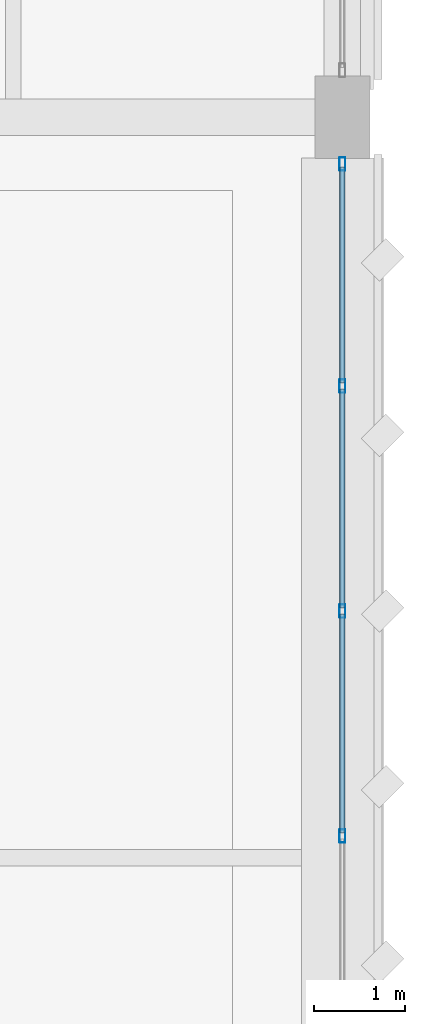
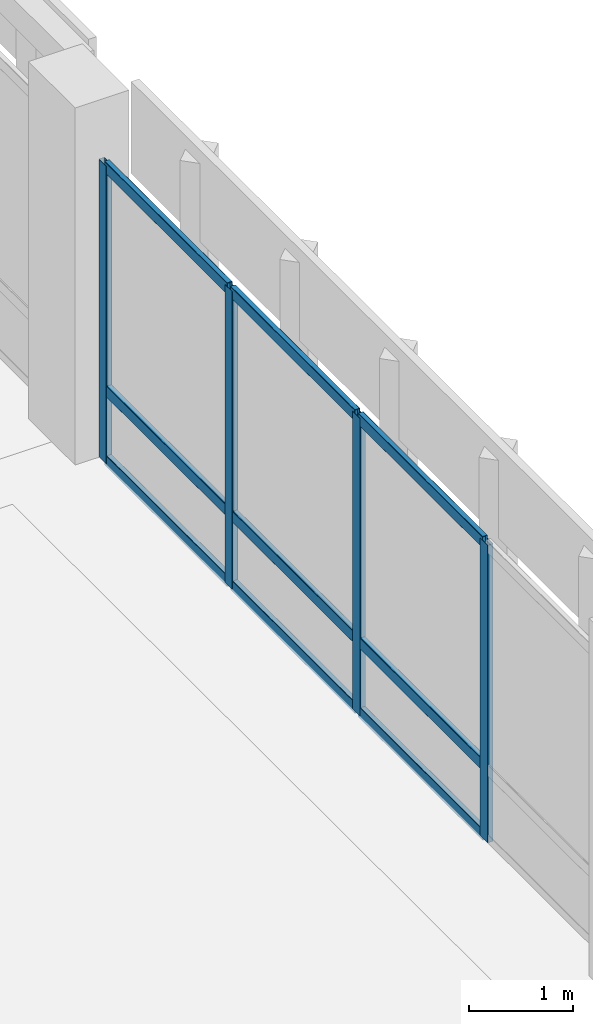
# One storey, part 93 of 158: 13 members, 1 element without a shape of its own.
"""IFC4 building model written with IfcOpenShell, lengths in metres."""

from ifc_helpers import new_model, si_unit, direction, frame, origin, origin_2d, place, context, subcontext, project, spatial, hollow_rectangle, extrude, material, material_profile, profile_set, type_object, element, aggregate, save


model = new_model("IFC4")

# Units and contexts
model_context = context("Model", 3, precision=1e-05, world=origin(), true_north=direction((0.0, 1.0)))
body_context = subcontext(model_context, "Body", "Model", "MODEL_VIEW")
ifc_project = project(units=[si_unit("LENGTHUNIT", "METRE"), si_unit("AREAUNIT", "SQUARE_METRE"), si_unit("VOLUMEUNIT", "CUBIC_METRE"), si_unit("PLANEANGLEUNIT", "RADIAN"), si_unit("MASSUNIT", "GRAM", prefix="KILO")], contexts=[model_context])

# Site, building, storey
site_placement = place(None, origin())
site = spatial("IfcSite", under=ifc_project, at=site_placement, CompositionType="ELEMENT")
building_placement = place(site_placement, origin())
building = spatial("IfcBuilding", under=site, at=building_placement, Name="Lusvemor Sports Hall", CompositionType="ELEMENT")
storey_placement = place(building_placement, frame((0.0, 0.0, 10.800048828125)))
storey = spatial("IfcBuildingStorey", under=building, at=storey_placement, Name="L02", CompositionType="ELEMENT", Elevation=10.800048828125)

# Curtain wall, members
ifc_material_1 = material(Name="Thermally broken bronze-anodized aluminium", Category="aluminium")
curtain_wall_type = type_object("IfcCurtainWallType", Name="CW_COURT_C", PredefinedType="NOTDEFINED", material=ifc_material_1)
curtain_wall_placement = place(storey_placement, origin())
curtain_wall = element("IfcCurtainWall", 1, at=curtain_wall_placement, inside=storey, type_object=curtain_wall_type, Name="Curtain Wall CW-V2E-L02-3", PredefinedType="NOTDEFINED")
ifc_material_2 = material(Name="Thermally broken bronze-anodized aluminium", Category="aluminium")
ifc_material_profile_1 = material_profile(ifc_material_2, hollow_rectangle(XDim=0.06494140625, YDim=0.14990234375, WallThickness=0.00390625, InnerFilletRadius=0.00390625, OuterFilletRadius=0.008056640625, at=origin_2d()), Name="CWMUL150x65x4")
ifc_profile_set_1 = profile_set([ifc_material_profile_1], Name="Thermally broken bronze-anodized aluminium")
member_type_1 = type_object("IfcMemberType", Name="CW_MUL_B", PredefinedType="MULLION", material=ifc_profile_set_1)
member_1_placement = place(storey_placement, frame((169.199951171875, 39.08740234375, 0.0), z_axis=(0.0, 0.0, 1.0), x_axis=(1.0, 0.0, 0.0)))
member_1 = element("IfcMember", 2, at=member_1_placement, type_object=member_type_1, Name="CW03 mullion 1", PredefinedType="MULLION", context=body_context, shape_type="SweptSolid", body=[
    extrude(hollow_rectangle(XDim=0.06494140625, YDim=0.14990234375, WallThickness=0.00390625, InnerFilletRadius=0.00390625, OuterFilletRadius=0.008056640625, at=origin_2d()), origin(), (0.0, 0.0, 1.0), 3.5),
])
member_2_placement = place(storey_placement, frame((169.199951171875, 36.659912109375, 0.0), z_axis=(0.0, 0.0, 1.0), x_axis=(1.0, 0.0, 0.0)))
member_2 = element("IfcMember", 3, at=member_2_placement, type_object=member_type_1, Name="CW03 mullion 2", PredefinedType="MULLION", context=body_context, shape_type="SweptSolid", body=[
    extrude(hollow_rectangle(XDim=0.06494140625, YDim=0.14990234375, WallThickness=0.00390625, InnerFilletRadius=0.00390625, OuterFilletRadius=0.008056640625, at=origin_2d()), origin(), (0.0, 0.0, 1.0), 3.5),
])
member_3_placement = place(storey_placement, frame((169.199951171875, 34.199951171875, 0.0), z_axis=(0.0, 0.0, 1.0), x_axis=(1.0, 0.0, 0.0)))
member_3 = element("IfcMember", 4, at=member_3_placement, type_object=member_type_1, Name="CW03 mullion 3", PredefinedType="MULLION", context=body_context, shape_type="SweptSolid", body=[
    extrude(hollow_rectangle(XDim=0.06494140625, YDim=0.14990234375, WallThickness=0.00390625, InnerFilletRadius=0.00390625, OuterFilletRadius=0.008056640625, at=origin_2d()), origin(), (0.0, 0.0, 1.0), 3.5),
])
member_4_placement = place(storey_placement, frame((169.199951171875, 31.739990234375, 0.0), z_axis=(0.0, 0.0, 1.0), x_axis=(1.0, 0.0, 0.0)))
member_4 = element("IfcMember", 5, at=member_4_placement, type_object=member_type_1, Name="CW03 mullion 4", PredefinedType="MULLION", context=body_context, shape_type="SweptSolid", body=[
    extrude(hollow_rectangle(XDim=0.06494140625, YDim=0.14990234375, WallThickness=0.00390625, InnerFilletRadius=0.00390625, OuterFilletRadius=0.008056640625, at=origin_2d()), origin(), (0.0, 0.0, 1.0), 3.5),
])
ifc_material_3 = material(Name="Thermally broken bronze-anodized aluminium", Category="aluminium")
ifc_material_profile_2 = material_profile(ifc_material_3, hollow_rectangle(XDim=0.06005859375, YDim=0.135009765625, WallThickness=0.00390625, InnerFilletRadius=0.00390625, OuterFilletRadius=0.008056640625, at=origin_2d()), Name="CWTRN135x60x4")
ifc_profile_set_2 = profile_set([ifc_material_profile_2], Name="Thermally broken bronze-anodized aluminium")
member_type_2 = type_object("IfcMemberType", Name="CW_TRN_B", PredefinedType="USERDEFINED", material=ifc_profile_set_2)
member_5_placement = place(storey_placement, frame((169.199951171875, 39.054931640625, 0.030029296875), z_axis=(0.0, -1.0, 0.0), x_axis=(1.0, 0.0, 0.0)))
member_5 = element("IfcMember", 6, at=member_5_placement, type_object=member_type_2, Name="CW03 transom 1.1", ObjectType="TRANSOM", PredefinedType="USERDEFINED", context=body_context, shape_type="SweptSolid", body=[
    extrude(hollow_rectangle(XDim=0.06005859375, YDim=0.135009765625, WallThickness=0.00390625, InnerFilletRadius=0.00390625, OuterFilletRadius=0.008056640625, at=origin_2d()), origin(), (0.0, 0.0, 1.0), 2.362548828125),
])
member_6_placement = place(storey_placement, frame((169.199951171875, 39.054931640625, 0.849853515625), z_axis=(0.0, -1.0, 0.0), x_axis=(1.0, 0.0, 0.0)))
member_6 = element("IfcMember", 7, at=member_6_placement, type_object=member_type_2, Name="CW03 transom 1.2", ObjectType="TRANSOM", PredefinedType="USERDEFINED", context=body_context, shape_type="SweptSolid", body=[
    extrude(hollow_rectangle(XDim=0.06005859375, YDim=0.135009765625, WallThickness=0.00390625, InnerFilletRadius=0.00390625, OuterFilletRadius=0.008056640625, at=origin_2d()), origin(), (0.0, 0.0, 1.0), 2.362548828125),
])
member_7_placement = place(storey_placement, frame((169.199951171875, 39.054931640625, 3.469970703125), z_axis=(0.0, -1.0, 0.0), x_axis=(1.0, 0.0, 0.0)))
member_7 = element("IfcMember", 8, at=member_7_placement, type_object=member_type_2, Name="CW03 transom 1.3", ObjectType="TRANSOM", PredefinedType="USERDEFINED", context=body_context, shape_type="SweptSolid", body=[
    extrude(hollow_rectangle(XDim=0.06005859375, YDim=0.135009765625, WallThickness=0.00390625, InnerFilletRadius=0.00390625, OuterFilletRadius=0.008056640625, at=origin_2d()), origin(), (0.0, 0.0, 1.0), 2.362548828125),
])
member_8_placement = place(storey_placement, frame((169.199951171875, 36.62744140625, 0.030029296875), z_axis=(0.0, -1.0, 0.0), x_axis=(1.0, 0.0, 0.0)))
member_8 = element("IfcMember", 9, at=member_8_placement, type_object=member_type_2, Name="CW03 transom 2.1", ObjectType="TRANSOM", PredefinedType="USERDEFINED", context=body_context, shape_type="SweptSolid", body=[
    extrude(hollow_rectangle(XDim=0.06005859375, YDim=0.135009765625, WallThickness=0.00390625, InnerFilletRadius=0.00390625, OuterFilletRadius=0.008056640625, at=origin_2d()), origin(), (0.0, 0.0, 1.0), 2.39501953125),
])
member_9_placement = place(storey_placement, frame((169.199951171875, 36.62744140625, 0.849853515625), z_axis=(0.0, -1.0, 0.0), x_axis=(1.0, 0.0, 0.0)))
member_9 = element("IfcMember", 10, at=member_9_placement, type_object=member_type_2, Name="CW03 transom 2.2", ObjectType="TRANSOM", PredefinedType="USERDEFINED", context=body_context, shape_type="SweptSolid", body=[
    extrude(hollow_rectangle(XDim=0.06005859375, YDim=0.135009765625, WallThickness=0.00390625, InnerFilletRadius=0.00390625, OuterFilletRadius=0.008056640625, at=origin_2d()), origin(), (0.0, 0.0, 1.0), 2.39501953125),
])
member_10_placement = place(storey_placement, frame((169.199951171875, 36.62744140625, 3.469970703125), z_axis=(0.0, -1.0, 0.0), x_axis=(1.0, 0.0, 0.0)))
member_10 = element("IfcMember", 11, at=member_10_placement, type_object=member_type_2, Name="CW03 transom 2.3", ObjectType="TRANSOM", PredefinedType="USERDEFINED", context=body_context, shape_type="SweptSolid", body=[
    extrude(hollow_rectangle(XDim=0.06005859375, YDim=0.135009765625, WallThickness=0.00390625, InnerFilletRadius=0.00390625, OuterFilletRadius=0.008056640625, at=origin_2d()), origin(), (0.0, 0.0, 1.0), 2.39501953125),
])
member_11_placement = place(storey_placement, frame((169.199951171875, 34.16748046875, 0.030029296875), z_axis=(0.0, -1.0, 0.0), x_axis=(1.0, 0.0, 0.0)))
member_11 = element("IfcMember", 12, at=member_11_placement, type_object=member_type_2, Name="CW03 transom 3.1", ObjectType="TRANSOM", PredefinedType="USERDEFINED", context=body_context, shape_type="SweptSolid", body=[
    extrude(hollow_rectangle(XDim=0.06005859375, YDim=0.135009765625, WallThickness=0.00390625, InnerFilletRadius=0.00390625, OuterFilletRadius=0.008056640625, at=origin_2d()), origin(), (0.0, 0.0, 1.0), 2.39501953125),
])
member_12_placement = place(storey_placement, frame((169.199951171875, 34.16748046875, 0.849853515625), z_axis=(0.0, -1.0, 0.0), x_axis=(1.0, 0.0, 0.0)))
member_12 = element("IfcMember", 13, at=member_12_placement, type_object=member_type_2, Name="CW03 transom 3.2", ObjectType="TRANSOM", PredefinedType="USERDEFINED", context=body_context, shape_type="SweptSolid", body=[
    extrude(hollow_rectangle(XDim=0.06005859375, YDim=0.135009765625, WallThickness=0.00390625, InnerFilletRadius=0.00390625, OuterFilletRadius=0.008056640625, at=origin_2d()), origin(), (0.0, 0.0, 1.0), 2.39501953125),
])
member_13_placement = place(storey_placement, frame((169.199951171875, 34.16748046875, 3.469970703125), z_axis=(0.0, -1.0, 0.0), x_axis=(1.0, 0.0, 0.0)))
member_13 = element("IfcMember", 14, at=member_13_placement, type_object=member_type_2, Name="CW03 transom 3.3", ObjectType="TRANSOM", PredefinedType="USERDEFINED", context=body_context, shape_type="SweptSolid", body=[
    extrude(hollow_rectangle(XDim=0.06005859375, YDim=0.135009765625, WallThickness=0.00390625, InnerFilletRadius=0.00390625, OuterFilletRadius=0.008056640625, at=origin_2d()), origin(), (0.0, 0.0, 1.0), 2.39501953125),
])
aggregate(curtain_wall, [member_1, member_2, member_3, member_4, member_5, member_6, member_7, member_8, member_9, member_10, member_11, member_12, member_13])

save(model, "model.ifc")
